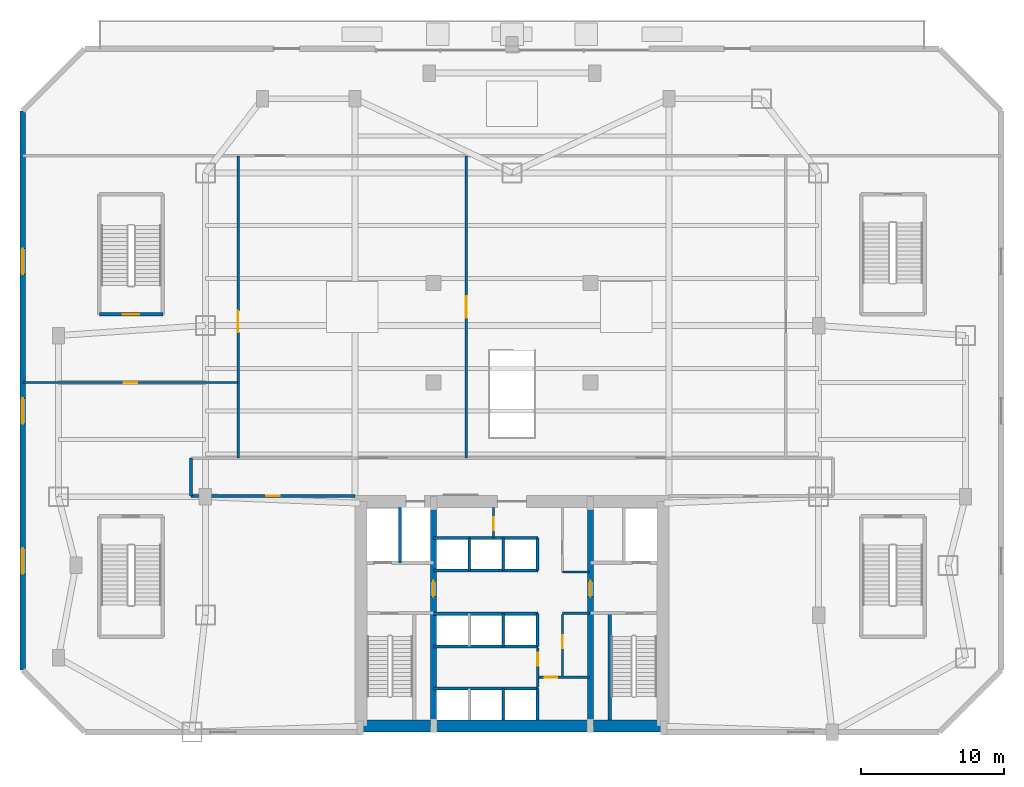
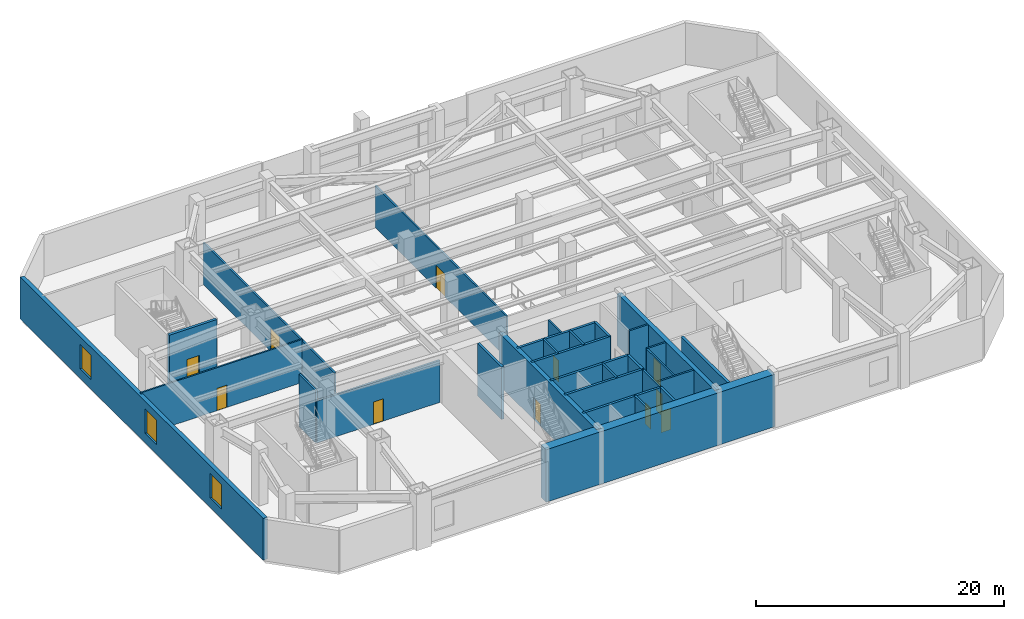
# One storey, part 4 of 10: 30 walls, 11 doors, 3 windows, 14 openings.
"""IFC4 building model written with IfcOpenShell, lengths in metres."""

from ifc_helpers import new_model, si_unit, direction, frame, frame_2d, origin, place, context, subcontext, project, spatial, rectangle, extrude, source, transform, mapped, material, layer, layer_set, type_object, type_shapes, element, fill, save


model = new_model("IFC4")

# Units and contexts
model_context = context("Model", 3, precision=1e-05, world=origin(), true_north=direction((0.0, 1.0)))
body_context = subcontext(model_context, "Body", "Model", "MODEL_VIEW")
ifc_project = project(units=[si_unit("LENGTHUNIT", "METRE"), si_unit("AREAUNIT", "SQUARE_METRE"), si_unit("VOLUMEUNIT", "CUBIC_METRE"), si_unit("PLANEANGLEUNIT", "RADIAN"), si_unit("MASSUNIT", "GRAM", prefix="KILO")], contexts=[model_context])

# Site, building, storey
site_placement = place(None, origin())
site = spatial("IfcSite", under=ifc_project, at=site_placement, CompositionType="ELEMENT")
building_placement = place(site_placement, origin())
building = spatial("IfcBuilding", under=site, at=building_placement, Name="Varnakhor Terracotta Tower", CompositionType="ELEMENT")
storey_placement = place(building_placement, frame((0.0, 0.0, 5.5)))
storey = spatial("IfcBuildingStorey", under=building, at=storey_placement, Name="L01", CompositionType="ELEMENT", Elevation=5.5)

# Wall
ifc_material_1 = material(Name="Concrete C60/75", Category="concrete")
ifc_layer_1 = layer(ifc_material_1, 0.85009765625, Name="Concrete C60/75")
ifc_layer_set_1 = layer_set([ifc_layer_1], Name="Concrete C60/75")
wall_type_1 = type_object("IfcWallType", Name="WAL-CORE-850", PredefinedType="SHEAR", material=ifc_layer_set_1)
wall_1_placement = place(storey_placement, frame((-10.64990234375, 0.425048828125, 0.0), z_axis=(0.0, 0.0, 1.0), x_axis=(1.0, 0.0, 0.0)))
element("IfcWall", 1, at=wall_1_placement, inside=storey, type_object=wall_type_1, Name="L01 South Core Shear Wall", PredefinedType="SHEAR", context=body_context, shape_type="SweptSolid", body=[
    extrude(rectangle(XDim=21.2998046875, YDim=0.85009765625, at=frame_2d((10.64990234375, 0.0))), origin(), (0.0, 0.0, 1.0), 5.169921875),
])

# Wall, opening, door
ifc_material_2 = material(Name="Concrete C50/60", Category="concrete")
ifc_layer_2 = layer(ifc_material_2, 0.39990234375, Name="Concrete C50/60")
ifc_layer_set_2 = layer_set([ifc_layer_2], Name="Concrete C50/60")
wall_type_2 = type_object("IfcWallType", Name="WAL-CORE-WEB-400", PredefinedType="SHEAR", material=ifc_layer_set_2)
wall_2_placement = place(storey_placement, frame((-5.5, 0.425048828125, 0.0), z_axis=(0.0, 0.0, 1.0), x_axis=(0.0, 1.0, 0.0)))
wall_2 = element("IfcWall", 2, at=wall_2_placement, inside=storey, type_object=wall_type_2, Name="L01 West Core Web Shear Wall", PredefinedType="SHEAR", context=body_context, shape_type="SweptSolid", body=[
    extrude(rectangle(XDim=15.75, YDim=0.39990234375, at=frame_2d((7.875, 0.0))), origin(), (0.0, 0.0, 1.0), 5.169921875),
])
opening_1_placement = place(wall_2_placement, frame((9.074951171875, 0.0, 0.0)))
opening_1 = element("IfcOpeningElement", 3, at=opening_1_placement, cuts=wall_2, Name="Opening DR-25", PredefinedType="OPENING", context=body_context, shape_type="SweptSolid", body=[
    extrude(rectangle(XDim=1.10009765625, YDim=2.199951171875, at=frame_2d((0.550048828125, 1.10009765625))), frame((0.0, 0.2099609375, 0.0), z_axis=(0.0, -1.0, 0.0), x_axis=(1.0, 0.0, 0.0)), (0.0, 0.0, 1.0), 0.419921875),
])
ifc_material_3 = material(Name="Firefighting Lobby Self-Closing Fire Door", Category="steel")
door_type_1 = type_object("IfcDoorType", Name="DR-FFL-1100X2200", OperationType="NOTDEFINED", PredefinedType="DOOR", material=ifc_material_3)
shared_shape_1 = source(origin(), body_context, "Body", "SweptSolid", [
    extrude(rectangle(XDim=1.10009765625, YDim=2.199951171875, at=frame_2d((0.550048828125, 1.10009765625))), frame((0.0, 0.02490234375, 0.0), z_axis=(0.0, -1.0, 0.0), x_axis=(1.0, 0.0, 0.0)), (0.0, 0.0, 1.0), 0.050048828125),
])
type_shapes(door_type_1, [shared_shape_1])
door_1_placement = place(opening_1_placement, origin())
door_1 = element("IfcDoor", 4, at=door_1_placement, inside=storey, type_object=door_type_1, Name="L01 West Firefighting Lobby Door", OperationType="SINGLE_SWING_LEFT", OverallHeight=2.199951171875, OverallWidth=1.10009765625, PredefinedType="DOOR", context=body_context, shape_type="MappedRepresentation", body=[
    mapped(shared_shape_1, transform((0.0, 0.0, 0.0), scale=1.0)),
])
fill(opening_1, door_1)

wall_3_placement = place(storey_placement, frame((5.5, 0.425048828125, 0.0), z_axis=(0.0, 0.0, 1.0), x_axis=(0.0, 1.0, 0.0)))
wall_3 = element("IfcWall", 5, at=wall_3_placement, inside=storey, type_object=wall_type_2, Name="L01 East Core Web Shear Wall", PredefinedType="SHEAR", context=body_context, shape_type="SweptSolid", body=[
    extrude(rectangle(XDim=15.75, YDim=0.39990234375, at=frame_2d((7.875, 0.0))), origin(), (0.0, 0.0, 1.0), 5.169921875),
])
opening_2_placement = place(wall_3_placement, frame((9.074951171875, 0.0, 0.0)))
opening_2 = element("IfcOpeningElement", 6, at=opening_2_placement, cuts=wall_3, Name="Opening DR-25", PredefinedType="OPENING", context=body_context, shape_type="SweptSolid", body=[
    extrude(rectangle(XDim=1.10009765625, YDim=2.199951171875, at=frame_2d((0.550048828125, 1.10009765625))), frame((0.0, 0.2099609375, 0.0), z_axis=(0.0, -1.0, 0.0), x_axis=(1.0, 0.0, 0.0)), (0.0, 0.0, 1.0), 0.419921875),
])
door_2_placement = place(opening_2_placement, origin())
door_2 = element("IfcDoor", 7, at=door_2_placement, inside=storey, type_object=door_type_1, Name="L01 East Firefighting Lobby Door", OperationType="SINGLE_SWING_LEFT", OverallHeight=2.199951171875, OverallWidth=1.10009765625, PredefinedType="DOOR", context=body_context, shape_type="MappedRepresentation", body=[
    mapped(shared_shape_1, transform((0.0, 0.0, 0.0), scale=1.0)),
])
fill(opening_2, door_2)

# Wall
ifc_material_4 = material(Name="Fire-Rated Gypsum Stud Partition", Category="gypsum")
ifc_layer_3 = layer(ifc_material_4, 0.18505859375, Name="Fire-Rated Gypsum Stud Partition")
ifc_layer_set_3 = layer_set([ifc_layer_3], Name="Fire-Rated Gypsum Stud Partition")
wall_type_3 = type_object("IfcWallType", Name="WAL-CORR-185", PredefinedType="PARTITIONING", material=ifc_layer_set_3)
wall_4_placement = place(storey_placement, frame((-22.5, 16.550048828125, 0.0), z_axis=(0.0, 0.0, 1.0), x_axis=(0.0, 1.0, 0.0)))
element("IfcWall", 8, at=wall_4_placement, inside=storey, type_object=wall_type_3, Name="L01 South Corridor West End Wall", PredefinedType="PARTITIONING", context=body_context, shape_type="SweptSolid", body=[
    extrude(rectangle(XDim=2.64990234375, YDim=0.18505859375, at=frame_2d((1.324951171875, 0.0))), origin(), (0.0, 0.0, 1.0), 5.162109375),
])

# Wall, opening, door
wall_5_placement = place(storey_placement, frame((-22.5, 16.550048828125, 0.0), z_axis=(0.0, 0.0, 1.0), x_axis=(1.0, 0.0, 0.0)))
wall_5 = element("IfcWall", 9, at=wall_5_placement, inside=storey, type_object=wall_type_3, Name="L01 South West Suite Wall", PredefinedType="PARTITIONING", context=body_context, shape_type="SweptSolid", body=[
    extrude(rectangle(XDim=11.47998046875, YDim=0.18505859375, at=frame_2d((5.739990234375, 0.0))), origin(), (0.0, 0.0, 1.0), 4.1220703125),
])
opening_3_placement = place(wall_5_placement, frame((5.264892578125, 0.0, 0.0)))
opening_3 = element("IfcOpeningElement", 10, at=opening_3_placement, cuts=wall_5, Name="Opening DR-94", PredefinedType="OPENING", context=body_context, shape_type="SweptSolid", body=[
    extrude(rectangle(XDim=0.949951171875, YDim=2.199951171875, at=frame_2d((0.47509765625, 1.10009765625))), frame((0.0, 0.1025390625, 0.0), z_axis=(0.0, -1.0, 0.0), x_axis=(1.0, 0.0, 0.0)), (0.0, 0.0, 1.0), 0.205078125),
])
ifc_material_5 = material(Name="Acoustic Glazed-Vision Timber Office Door", Category="wood")
door_type_2 = type_object("IfcDoorType", Name="DR-OFF-950X2200", OperationType="NOTDEFINED", PredefinedType="DOOR", material=ifc_material_5)
shared_shape_2 = source(origin(), body_context, "Body", "SweptSolid", [
    extrude(rectangle(XDim=0.949951171875, YDim=2.199951171875, at=frame_2d((0.47509765625, 1.10009765625))), frame((0.0, 0.02490234375, 0.0), z_axis=(0.0, -1.0, 0.0), x_axis=(1.0, 0.0, 0.0)), (0.0, 0.0, 1.0), 0.050048828125),
])
type_shapes(door_type_2, [shared_shape_2])
door_3_placement = place(opening_3_placement, origin())
door_3 = element("IfcDoor", 11, at=door_3_placement, inside=storey, type_object=door_type_2, Name="L01 SW Suite Door", OperationType="SINGLE_SWING_LEFT", OverallHeight=2.199951171875, OverallWidth=0.949951171875, PredefinedType="DOOR", context=body_context, shape_type="MappedRepresentation", body=[
    mapped(shared_shape_2, transform((0.0, 0.0, 0.0), scale=1.0)),
])
fill(opening_3, door_3)

# Wall, openings, windows
ifc_material_6 = material(Name="Honed Riyadh Limestone Assembly", Category="masonry")
ifc_layer_4 = layer(ifc_material_6, 0.3798828125, Name="Honed Riyadh Limestone Assembly")
ifc_layer_set_4 = layer_set([ifc_layer_4], Name="Honed Riyadh Limestone Assembly")
wall_type_4 = type_object("IfcWallType", Name="WAL-EXT-LIMESTONE-380", PredefinedType="SOLIDWALL", material=ifc_layer_set_4)
wall_6_placement = place(storey_placement, frame((-34.300048828125, 4.35009765625, 0.0), z_axis=(0.0, 0.0, 1.0), x_axis=(0.0, 1.0, 0.0)))
wall_6 = element("IfcWall", 12, at=wall_6_placement, inside=storey, type_object=wall_type_4, Name="L01 Podium Side Limestone Wall 1", PredefinedType="SOLIDWALL", context=body_context, shape_type="SweptSolid", body=[
    extrude(rectangle(XDim=39.199951171875, YDim=0.3798828125, at=frame_2d((19.60009765625, 0.0))), origin(), (0.0, 0.0, 1.0), 4.110107421875),
])
opening_4_placement = place(wall_6_placement, frame((6.75, 0.0, 0.949951171875)))
opening_4 = element("IfcOpeningElement", 13, at=opening_4_placement, cuts=wall_6, Name="Opening WN-16", PredefinedType="OPENING", context=body_context, shape_type="SweptSolid", body=[
    extrude(rectangle(XDim=1.800048828125, YDim=2.39990234375, at=frame_2d((0.89990234375, 1.199951171875))), frame((0.0, 0.199951171875, 0.0), z_axis=(0.0, -1.0, 0.0), x_axis=(1.0, 0.0, 0.0)), (0.0, 0.0, 1.0), 0.39990234375),
])
opening_5_placement = place(wall_6_placement, frame((17.25, 0.0, 0.949951171875)))
opening_5 = element("IfcOpeningElement", 14, at=opening_5_placement, cuts=wall_6, Name="Opening WN-16", PredefinedType="OPENING", context=body_context, shape_type="SweptSolid", body=[
    extrude(rectangle(XDim=1.800048828125, YDim=2.39990234375, at=frame_2d((0.89990234375, 1.199951171875))), frame((0.0, 0.199951171875, 0.0), z_axis=(0.0, -1.0, 0.0), x_axis=(1.0, 0.0, 0.0)), (0.0, 0.0, 1.0), 0.39990234375),
])
opening_6_placement = place(wall_6_placement, frame((27.75, 0.0, 0.949951171875)))
opening_6 = element("IfcOpeningElement", 15, at=opening_6_placement, cuts=wall_6, Name="Opening WN-16", PredefinedType="OPENING", context=body_context, shape_type="SweptSolid", body=[
    extrude(rectangle(XDim=1.800048828125, YDim=2.39990234375, at=frame_2d((0.89990234375, 1.199951171875))), frame((0.0, 0.199951171875, 0.0), z_axis=(0.0, -1.0, 0.0), x_axis=(1.0, 0.0, 0.0)), (0.0, 0.0, 1.0), 0.39990234375),
])
ifc_material_7 = material(Name="Solar-Control Low-E Insulated Glass Unit", Category="glass")
window_type = type_object("IfcWindowType", Name="WIN-POD-2400X3200", PartitioningType="SINGLE_PANEL", PredefinedType="WINDOW", material=ifc_material_7)
shared_shape_3 = source(origin(), body_context, "Body", "SweptSolid", [
    extrude(rectangle(XDim=1.800048828125, YDim=2.39990234375, at=frame_2d((0.89990234375, 1.199951171875))), frame((0.0, 0.030029296875, 0.0), z_axis=(0.0, -1.0, 0.0), x_axis=(1.0, 0.0, 0.0)), (0.0, 0.0, 1.0), 0.06005859375),
])
type_shapes(window_type, [shared_shape_3])
window_1_placement = place(opening_4_placement, origin())
window_1 = element("IfcWindow", 16, at=window_1_placement, inside=storey, type_object=window_type, Name="L01 Side Punched Window 1-1", OverallHeight=2.39990234375, OverallWidth=1.800048828125, PartitioningType="SINGLE_PANEL", PredefinedType="WINDOW", context=body_context, shape_type="MappedRepresentation", body=[
    mapped(shared_shape_3, transform((0.0, 0.0, 0.0), scale=1.0)),
])
fill(opening_4, window_1)
window_2_placement = place(opening_5_placement, origin())
window_2 = element("IfcWindow", 17, at=window_2_placement, inside=storey, type_object=window_type, Name="L01 Side Punched Window 1-2", OverallHeight=2.39990234375, OverallWidth=1.800048828125, PartitioningType="SINGLE_PANEL", PredefinedType="WINDOW", context=body_context, shape_type="MappedRepresentation", body=[
    mapped(shared_shape_3, transform((0.0, 0.0, 0.0), scale=1.0)),
])
fill(opening_5, window_2)
window_3_placement = place(opening_6_placement, origin())
window_3 = element("IfcWindow", 18, at=window_3_placement, inside=storey, type_object=window_type, Name="L01 Side Punched Window 1-3", OverallHeight=2.39990234375, OverallWidth=1.800048828125, PartitioningType="SINGLE_PANEL", PredefinedType="WINDOW", context=body_context, shape_type="MappedRepresentation", body=[
    mapped(shared_shape_3, transform((0.0, 0.0, 0.0), scale=1.0)),
])
fill(opening_6, window_3)

# Wall, opening, door
ifc_material_8 = material(Name="Acoustic Operable Panel Partition", Category="metal")
ifc_layer_5 = layer(ifc_material_8, 0.155029296875, Name="Acoustic Operable Panel Partition")
ifc_layer_set_5 = layer_set([ifc_layer_5], Name="Acoustic Operable Panel Partition")
wall_type_5 = type_object("IfcWallType", Name="WAL-OPERABLE-155", PredefinedType="MOVABLE", material=ifc_layer_set_5)
wall_7_placement = place(storey_placement, frame((-3.199951171875, 19.199951171875, 0.0), z_axis=(0.0, 0.0, 1.0), x_axis=(0.0, 1.0, 0.0)))
wall_7 = element("IfcWall", 19, at=wall_7_placement, inside=storey, type_object=wall_type_5, Name="L01 Operable Hall Partition", PredefinedType="MOVABLE", context=body_context, shape_type="SweptSolid", body=[
    extrude(rectangle(XDim=21.199951171875, YDim=0.155029296875, at=frame_2d((10.60009765625, 0.0))), origin(), (0.0, 0.0, 1.0), 4.1220703125),
])
opening_7_placement = place(wall_7_placement, frame((9.85009765625, 0.0, 0.0)))
opening_7 = element("IfcOpeningElement", 20, at=opening_7_placement, cuts=wall_7, Name="Opening DR-30", PredefinedType="OPENING", context=body_context, shape_type="SweptSolid", body=[
    extrude(rectangle(XDim=1.5, YDim=2.25, at=frame_2d((0.75, 1.125))), frame((0.0, 0.08740234375, 0.0), z_axis=(0.0, -1.0, 0.0), x_axis=(1.0, 0.0, 0.0)), (0.0, 0.0, 1.0), 0.175048828125),
])
ifc_material_9 = material(Name="Double Acoustic Conference Room Door", Category="wood")
door_type_3 = type_object("IfcDoorType", Name="DR-MEET-1500X2250", OperationType="NOTDEFINED", PredefinedType="DOOR", material=ifc_material_9)
shared_shape_4 = source(origin(), body_context, "Body", "SweptSolid", [
    extrude(rectangle(XDim=1.5, YDim=2.25, at=frame_2d((0.75, 1.125))), frame((0.0, 0.02490234375, 0.0), z_axis=(0.0, -1.0, 0.0), x_axis=(1.0, 0.0, 0.0)), (0.0, 0.0, 1.0), 0.050048828125),
])
type_shapes(door_type_3, [shared_shape_4])
door_4_placement = place(opening_7_placement, origin())
door_4 = element("IfcDoor", 21, at=door_4_placement, inside=storey, type_object=door_type_3, Name="L01 Operable Hall Door", OperationType="DOUBLE_DOOR_SINGLE_SWING", OverallHeight=2.25, OverallWidth=1.5, PredefinedType="DOOR", context=body_context, shape_type="MappedRepresentation", body=[
    mapped(shared_shape_4, transform((0.0, 0.0, 0.0), scale=1.0)),
])
fill(opening_7, door_4)

ifc_material_10 = material(Name="Acoustic Metal-Stud Partition", Category="gypsum")
ifc_layer_6 = layer(ifc_material_10, 0.139892578125, Name="Acoustic Metal-Stud Partition")
ifc_layer_set_6 = layer_set([ifc_layer_6], Name="Acoustic Metal-Stud Partition")
wall_type_6 = type_object("IfcWallType", Name="WAL-PART-140", PredefinedType="PARTITIONING", material=ifc_layer_set_6)
wall_8_placement = place(storey_placement, frame((-34.2900390625, 24.5, 0.0), z_axis=(0.0, 0.0, 1.0), x_axis=(1.0, 0.0, 0.0)))
wall_8 = element("IfcWall", 22, at=wall_8_placement, inside=storey, type_object=wall_type_6, Name="L01 West Breakout Split", PredefinedType="PARTITIONING", context=body_context, shape_type="SweptSolid", body=[
    extrude(rectangle(XDim=15.090087890625, YDim=0.139892578125, at=frame_2d((7.544921875, 0.0))), origin(), (0.0, 0.0, 1.0), 4.235107421875),
])
opening_8_placement = place(wall_8_placement, frame((7.070068359375, 0.0, 0.0)))
opening_8 = element("IfcOpeningElement", 23, at=opening_8_placement, cuts=wall_8, Name="Opening DR-94", PredefinedType="OPENING", context=body_context, shape_type="SweptSolid", body=[
    extrude(rectangle(XDim=0.949951171875, YDim=2.199951171875, at=frame_2d((0.47509765625, 1.10009765625))), frame((0.0, 0.080078125, 0.0), z_axis=(0.0, -1.0, 0.0), x_axis=(1.0, 0.0, 0.0)), (0.0, 0.0, 1.0), 0.159912109375),
])
door_5_placement = place(opening_8_placement, origin())
door_5 = element("IfcDoor", 24, at=door_5_placement, inside=storey, type_object=door_type_2, Name="Seminar Room Door", OperationType="SINGLE_SWING_LEFT", OverallHeight=2.199951171875, OverallWidth=0.949951171875, PredefinedType="DOOR", context=body_context, shape_type="MappedRepresentation", body=[
    mapped(shared_shape_2, transform((0.0, 0.0, 0.0), scale=1.0)),
])
fill(opening_8, door_5)

# Walls
ifc_material_11 = material(Name="Concrete C40/50", Category="concrete")
ifc_layer_7 = layer(ifc_material_11, 0.179931640625, Name="Concrete C40/50")
ifc_layer_set_7 = layer_set([ifc_layer_7], Name="Concrete C40/50")
wall_type_7 = type_object("IfcWallType", Name="WAL-SHAFT-180", PredefinedType="SOLIDWALL", material=ifc_layer_set_7)
wall_9_placement = place(storey_placement, frame((-0.60009765625, 0.85009765625, 0.0), z_axis=(0.0, 0.0, 1.0), x_axis=(0.0, 1.0, 0.0)))
element("IfcWall", 25, at=wall_9_placement, inside=storey, type_object=wall_type_7, Name="L01 PL-1B Divider", PredefinedType="SOLIDWALL", context=body_context, shape_type="SweptSolid", body=[
    extrude(rectangle(XDim=2.199951171875, YDim=0.179931640625, at=frame_2d((1.10009765625, 0.0))), origin(), (0.0, 0.0, 1.0), 5.169921875),
])
for number, where, z_axis, x_axis, name in (
    (26, (-0.60009765625, 6.0, 0.0), (0.0, 0.0, 1.0), (0.0, 1.0, 0.0), "L01 PL-2B Divider"),
    (27, (-3.0, 11.320068359375, 0.0), (0.0, 0.0, 1.0), (0.0, 1.0, 0.0), "L01 PL-3A Divider"),
    (28, (-0.60009765625, 11.320068359375, 0.0), (0.0, 0.0, 1.0), (0.0, 1.0, 0.0), "L01 PL-3B Divider"),
):
    element("IfcWall", number, at=place(storey_placement, frame(where, z_axis=z_axis, x_axis=x_axis)), inside=storey, type_object=wall_type_7, Name=name, PredefinedType="SOLIDWALL", context=body_context, shape_type="SweptSolid", body=[
        extrude(rectangle(XDim=2.300048828125, YDim=0.179931640625, at=frame_2d((1.14990234375, 0.0))), origin(), (0.0, 0.0, 1.0), 5.169921875),
    ])
ifc_layer_8 = layer(ifc_material_11, 0.219970703125, Name="Concrete C40/50")
ifc_layer_set_8 = layer_set([ifc_layer_8], Name="Concrete C40/50")
wall_type_8 = type_object("IfcWallType", Name="WAL-SHAFT-220", PredefinedType="SOLIDWALL", material=ifc_layer_set_8)
wall_10_placement = place(storey_placement, frame((-7.840087890625, 11.8701171875, 0.0), z_axis=(0.0, 0.0, 1.0), x_axis=(0.0, 1.0, 0.0)))
element("IfcWall", 29, at=wall_10_placement, inside=storey, type_object=wall_type_8, Name="L01 Lift FFL-1 and SVL-1 Divider Wall", PredefinedType="SOLIDWALL", context=body_context, shape_type="SweptSolid", body=[
    extrude(rectangle(XDim=3.8798828125, YDim=0.219970703125, at=frame_2d((1.93994140625, 0.0))), origin(), (0.0, 0.0, 1.0), 5.169921875),
])
wall_11_placement = place(storey_placement, frame((-5.5, 3.050048828125, 0.0), z_axis=(0.0, 0.0, 1.0), x_axis=(1.0, 0.0, 0.0)))
element("IfcWall", 30, at=wall_11_placement, inside=storey, type_object=wall_type_8, Name="L01 Bank 1 Lift Shaft Wall", PredefinedType="SOLIDWALL", context=body_context, shape_type="SweptSolid", body=[
    extrude(rectangle(XDim=7.320068359375, YDim=0.219970703125, at=frame_2d((3.66015625, 0.0))), origin(), (0.0, 0.0, 1.0), 5.169921875),
])
wall_12_placement = place(storey_placement, frame((1.800048828125, 0.85009765625, 0.0), z_axis=(0.0, 0.0, 1.0), x_axis=(0.0, 1.0, 0.0)))
element("IfcWall", 31, at=wall_12_placement, inside=storey, type_object=wall_type_8, Name="L01 Bank 1 East Shaft Wall", PredefinedType="SOLIDWALL", context=body_context, shape_type="SweptSolid", body=[
    extrude(rectangle(XDim=2.199951171875, YDim=0.219970703125, at=frame_2d((1.10009765625, 0.0))), origin(), (0.0, 0.0, 1.0), 5.169921875),
])
for number, where, z_axis, x_axis, name in (
    (32, (-5.5, 6.0, 0.0), (0.0, 0.0, 1.0), (1.0, 0.0, 0.0), "L01 Bank 2 South Shaft Wall"),
    (33, (-5.5, 8.300048828125, 0.0), (0.0, 0.0, 1.0), (1.0, 0.0, 0.0), "L01 Bank 2 North Shaft Wall"),
):
    element("IfcWall", number, at=place(storey_placement, frame(where, z_axis=z_axis, x_axis=x_axis)), inside=storey, type_object=wall_type_8, Name=name, PredefinedType="SOLIDWALL", context=body_context, shape_type="SweptSolid", body=[
        extrude(rectangle(XDim=7.320068359375, YDim=0.219970703125, at=frame_2d((3.66015625, 0.0))), origin(), (0.0, 0.0, 1.0), 5.169921875),
    ])
wall_13_placement = place(storey_placement, frame((1.800048828125, 6.0, 0.0), z_axis=(0.0, 0.0, 1.0), x_axis=(0.0, 1.0, 0.0)))
element("IfcWall", 34, at=wall_13_placement, inside=storey, type_object=wall_type_8, Name="L01 Bank 2 East Shaft Wall", PredefinedType="SOLIDWALL", context=body_context, shape_type="SweptSolid", body=[
    extrude(rectangle(XDim=2.300048828125, YDim=0.219970703125, at=frame_2d((1.14990234375, 0.0))), origin(), (0.0, 0.0, 1.0), 5.169921875),
])
for number, where, z_axis, x_axis, name in (
    (35, (-5.5, 11.320068359375, 0.0), (0.0, 0.0, 1.0), (1.0, 0.0, 0.0), "L01 Bank 3 South Shaft Wall"),
    (36, (-5.5, 13.6201171875, 0.0), (0.0, 0.0, 1.0), (1.0, 0.0, 0.0), "L01 Bank 3 North Shaft Wall"),
):
    element("IfcWall", number, at=place(storey_placement, frame(where, z_axis=z_axis, x_axis=x_axis)), inside=storey, type_object=wall_type_8, Name=name, PredefinedType="SOLIDWALL", context=body_context, shape_type="SweptSolid", body=[
        extrude(rectangle(XDim=7.320068359375, YDim=0.219970703125, at=frame_2d((3.66015625, 0.0))), origin(), (0.0, 0.0, 1.0), 5.169921875),
    ])
wall_14_placement = place(storey_placement, frame((1.800048828125, 11.320068359375, 0.0), z_axis=(0.0, 0.0, 1.0), x_axis=(0.0, 1.0, 0.0)))
element("IfcWall", 37, at=wall_14_placement, inside=storey, type_object=wall_type_8, Name="L01 Bank 3 East Shaft Wall", PredefinedType="SOLIDWALL", context=body_context, shape_type="SweptSolid", body=[
    extrude(rectangle(XDim=2.300048828125, YDim=0.219970703125, at=frame_2d((1.14990234375, 0.0))), origin(), (0.0, 0.0, 1.0), 5.169921875),
])
ifc_layer_9 = layer(ifc_material_11, 0.25, Name="Concrete C40/50")
ifc_layer_set_9 = layer_set([ifc_layer_9], Name="Concrete C40/50")
wall_type_9 = type_object("IfcWallType", Name="WAL-SHAFT-250", PredefinedType="SOLIDWALL", material=ifc_layer_set_9)
wall_15_placement = place(storey_placement, frame((6.85009765625, 0.85009765625, 0.0), z_axis=(0.0, 0.0, 1.0), x_axis=(0.0, 1.0, 0.0)))
element("IfcWall", 38, at=wall_15_placement, inside=storey, type_object=wall_type_9, Name="L01 Stair ST-2 Bearing Shaft Wall", PredefinedType="SOLIDWALL", context=body_context, shape_type="SweptSolid", body=[
    extrude(rectangle(XDim=7.5, YDim=0.25, at=frame_2d((3.75, 0.0))), origin(), (0.0, 0.0, 1.0), 5.169921875),
])

# Wall, opening, door
wall_16_placement = place(storey_placement, frame((-28.919921875, 29.280029296875, 0.0), z_axis=(0.0, 0.0, 1.0), x_axis=(1.0, 0.0, 0.0)))
wall_16 = element("IfcWall", 39, at=wall_16_placement, inside=storey, type_object=wall_type_9, Name="L01 ST-P3 Bearing Shaft Wall S", PredefinedType="SOLIDWALL", context=body_context, shape_type="SweptSolid", body=[
    extrude(rectangle(XDim=4.43994140625, YDim=0.25, at=frame_2d((2.219970703125, 0.0))), origin(), (0.0, 0.0, 1.0), 5.169921875),
])
opening_9_placement = place(wall_16_placement, frame((1.64501953125, 0.0, 0.0)))
opening_9 = element("IfcOpeningElement", 40, at=opening_9_placement, cuts=wall_16, Name="Opening DR-34", PredefinedType="OPENING", context=body_context, shape_type="SweptSolid", body=[
    extrude(rectangle(XDim=1.14990234375, YDim=2.199951171875, at=frame_2d((0.574951171875, 1.10009765625))), frame((0.0, 0.135009765625, 0.0), z_axis=(0.0, -1.0, 0.0), x_axis=(1.0, 0.0, 0.0)), (0.0, 0.0, 1.0), 0.27001953125),
])
ifc_material_12 = material(Name="Self-Closing Smoke-Sealed Steel Fire Door", Category="steel")
door_type_4 = type_object("IfcDoorType", Name="DR-STAIR-1150X2200", OperationType="NOTDEFINED", PredefinedType="DOOR", material=ifc_material_12)
shared_shape_5 = source(origin(), body_context, "Body", "SweptSolid", [
    extrude(rectangle(XDim=1.14990234375, YDim=2.199951171875, at=frame_2d((0.574951171875, 1.10009765625))), frame((0.0, 0.02490234375, 0.0), z_axis=(0.0, -1.0, 0.0), x_axis=(1.0, 0.0, 0.0)), (0.0, 0.0, 1.0), 0.050048828125),
])
type_shapes(door_type_4, [shared_shape_5])
door_6_placement = place(opening_9_placement, origin())
door_6 = element("IfcDoor", 41, at=door_6_placement, inside=storey, type_object=door_type_4, Name="L01 Exit Stair ST-P3 Fire Door", OperationType="SINGLE_SWING_LEFT", OverallHeight=2.199951171875, OverallWidth=1.14990234375, PredefinedType="DOOR", context=body_context, shape_type="MappedRepresentation", body=[
    mapped(shared_shape_5, transform((0.0, 0.0, 0.0), scale=1.0)),
])
fill(opening_9, door_6)

ifc_material_13 = material(Name="Acoustic Fire-Rated Partition", Category="gypsum")
ifc_layer_10 = layer(ifc_material_13, 0.1650390625, Name="Acoustic Fire-Rated Partition")
ifc_layer_set_10 = layer_set([ifc_layer_10], Name="Acoustic Fire-Rated Partition")
wall_type_10 = type_object("IfcWallType", Name="WAL-TENANCY-165", PredefinedType="PARTITIONING", material=ifc_layer_set_10)
wall_17_placement = place(storey_placement, frame((1.800048828125, 3.159912109375, 0.0), z_axis=(0.0, 0.0, 1.0), x_axis=(0.0, 1.0, 0.0)))
wall_17 = element("IfcWall", 42, at=wall_17_placement, inside=storey, type_object=wall_type_10, Name="L01 Core Rated Service Wall", PredefinedType="PARTITIONING", context=body_context, shape_type="SweptSolid", body=[
    extrude(rectangle(XDim=2.719970703125, YDim=0.1650390625, at=frame_2d((1.35986328125, 0.0))), origin(), (0.0, 0.0, 1.0), 5.162109375),
])
opening_10_placement = place(wall_17_placement, frame((1.5, 0.0, 0.0)))
opening_10 = element("IfcOpeningElement", 43, at=opening_10_placement, cuts=wall_17, Name="Opening DR-67", PredefinedType="OPENING", context=body_context, shape_type="SweptSolid", body=[
    extrude(rectangle(XDim=0.89990234375, YDim=2.10009765625, at=frame_2d((0.449951171875, 1.050048828125))), frame((0.0, 0.092529296875, 0.0), z_axis=(0.0, -1.0, 0.0), x_axis=(1.0, 0.0, 0.0)), (0.0, 0.0, 1.0), 0.18505859375),
])
ifc_material_14 = material(Name="Steel Service Riser Fire Door", Category="steel")
door_type_5 = type_object("IfcDoorType", Name="DR-RISER-900X2100", OperationType="NOTDEFINED", PredefinedType="DOOR", material=ifc_material_14)
shared_shape_6 = source(origin(), body_context, "Body", "SweptSolid", [
    extrude(rectangle(XDim=0.89990234375, YDim=2.10009765625, at=frame_2d((0.449951171875, 1.050048828125))), frame((0.0, 0.02490234375, 0.0), z_axis=(0.0, -1.0, 0.0), x_axis=(1.0, 0.0, 0.0)), (0.0, 0.0, 1.0), 0.050048828125),
])
type_shapes(door_type_5, [shared_shape_6])
door_7_placement = place(opening_10_placement, origin())
door_7 = element("IfcDoor", 44, at=door_7_placement, inside=storey, type_object=door_type_5, Name="L01 Core Store Fire Door", OperationType="SINGLE_SWING_RIGHT", OverallHeight=2.10009765625, OverallWidth=0.89990234375, PredefinedType="DOOR", context=body_context, shape_type="MappedRepresentation", body=[
    mapped(shared_shape_6, transform((0.0, 0.0, 0.0), scale=1.0)),
])
fill(opening_10, door_7)

wall_18_placement = place(storey_placement, frame((3.5400390625, 3.9326171875, 0.0), z_axis=(0.0, 0.0, 1.0), x_axis=(0.0, 1.0, 0.0)))
wall_18 = element("IfcWall", 45, at=wall_18_placement, inside=storey, type_object=wall_type_10, Name="L01 Core Service Rated Wall", PredefinedType="PARTITIONING", context=body_context, shape_type="SweptSolid", body=[
    extrude(rectangle(XDim=4.324951171875, YDim=0.1650390625, at=frame_2d((2.16259765625, 0.0))), origin(), (0.0, 0.0, 1.0), 5.162109375),
])
opening_11_placement = place(wall_18_placement, frame((1.9462890625, 0.0, 0.0)))
opening_11 = element("IfcOpeningElement", 46, at=opening_11_placement, cuts=wall_18, Name="Opening DR-67", PredefinedType="OPENING", context=body_context, shape_type="SweptSolid", body=[
    extrude(rectangle(XDim=0.89990234375, YDim=2.10009765625, at=frame_2d((0.449951171875, 1.050048828125))), frame((0.0, 0.092529296875, 0.0), z_axis=(0.0, -1.0, 0.0), x_axis=(1.0, 0.0, 0.0)), (0.0, 0.0, 1.0), 0.18505859375),
])
door_8_placement = place(opening_11_placement, origin())
door_8 = element("IfcDoor", 47, at=door_8_placement, inside=storey, type_object=door_type_5, Name="L01 Core Accessible WC Door", OperationType="SINGLE_SWING_RIGHT", OverallHeight=2.10009765625, OverallWidth=0.89990234375, PredefinedType="DOOR", context=body_context, shape_type="MappedRepresentation", body=[
    mapped(shared_shape_6, transform((0.0, 0.0, 0.0), scale=1.0)),
])
fill(opening_11, door_8)

# Wall
wall_19_placement = place(storey_placement, frame((3.5400390625, 8.340087890625, 0.0), z_axis=(0.0, 0.0, 1.0), x_axis=(1.0, 0.0, 0.0)))
element("IfcWall", 48, at=wall_19_placement, inside=storey, type_object=wall_type_10, Name="L01 Accessible WC North Wall", PredefinedType="PARTITIONING", context=body_context, shape_type="SweptSolid", body=[
    extrude(rectangle(XDim=1.8798828125, YDim=0.1650390625, at=frame_2d((0.93994140625, 0.0))), origin(), (0.0, 0.0, 1.0), 5.162109375),
])

# Wall, opening, door
wall_20_placement = place(storey_placement, frame((1.800048828125, 3.85009765625, 0.0), z_axis=(0.0, 0.0, 1.0), x_axis=(1.0, 0.0, 0.0)))
wall_20 = element("IfcWall", 49, at=wall_20_placement, inside=storey, type_object=wall_type_10, Name="L01 Core South Service Rated Wall", PredefinedType="PARTITIONING", context=body_context, shape_type="SweptSolid", body=[
    extrude(rectangle(XDim=3.619873046875, YDim=0.1650390625, at=frame_2d((1.81005859375, 0.0))), origin(), (0.0, 0.0, 1.0), 5.162109375),
])
opening_12_placement = place(wall_20_placement, frame((0.47998046875, 0.0, 0.0)))
opening_12 = element("IfcOpeningElement", 50, at=opening_12_placement, cuts=wall_20, Name="Opening DR-67", PredefinedType="OPENING", context=body_context, shape_type="SweptSolid", body=[
    extrude(rectangle(XDim=0.89990234375, YDim=2.10009765625, at=frame_2d((0.449951171875, 1.050048828125))), frame((0.0, 0.092529296875, 0.0), z_axis=(0.0, -1.0, 0.0), x_axis=(1.0, 0.0, 0.0)), (0.0, 0.0, 1.0), 0.18505859375),
])
door_9_placement = place(opening_12_placement, origin())
door_9 = element("IfcDoor", 51, at=door_9_placement, inside=storey, type_object=door_type_5, Name="L01 Core IT Room Door", OperationType="SINGLE_SWING_LEFT", OverallHeight=2.10009765625, OverallWidth=0.89990234375, PredefinedType="DOOR", context=body_context, shape_type="MappedRepresentation", body=[
    mapped(shared_shape_6, transform((0.0, 0.0, 0.0), scale=1.0)),
])
fill(opening_12, door_9)

wall_21_placement = place(storey_placement, frame((-1.300048828125, 13.60009765625, 0.0), z_axis=(0.0, 0.0, 1.0), x_axis=(0.0, 1.0, 0.0)))
wall_21 = element("IfcWall", 52, at=wall_21_placement, inside=storey, type_object=wall_type_10, Name="L01 Male Restroom Wall", PredefinedType="PARTITIONING", context=body_context, shape_type="SweptSolid", body=[
    extrude(rectangle(XDim=2.14990234375, YDim=0.1650390625, at=frame_2d((1.074951171875, 0.0))), origin(), (0.0, 0.0, 1.0), 5.162109375),
])
opening_13_placement = place(wall_21_placement, frame((0.550048828125, 0.0, 0.0)))
opening_13 = element("IfcOpeningElement", 53, at=opening_13_placement, cuts=wall_21, Name="Opening DR-67", PredefinedType="OPENING", context=body_context, shape_type="SweptSolid", body=[
    extrude(rectangle(XDim=0.89990234375, YDim=2.10009765625, at=frame_2d((0.449951171875, 1.050048828125))), frame((0.0, 0.092529296875, 0.0), z_axis=(0.0, -1.0, 0.0), x_axis=(1.0, 0.0, 0.0)), (0.0, 0.0, 1.0), 0.18505859375),
])
door_10_placement = place(opening_13_placement, origin())
door_10 = element("IfcDoor", 54, at=door_10_placement, inside=storey, type_object=door_type_5, Name="L01 Male WC Door", OperationType="SINGLE_SWING_LEFT", OverallHeight=2.10009765625, OverallWidth=0.89990234375, PredefinedType="DOOR", context=body_context, shape_type="MappedRepresentation", body=[
    mapped(shared_shape_6, transform((0.0, 0.0, 0.0), scale=1.0)),
])
fill(opening_13, door_10)

# Wall
wall_22_placement = place(storey_placement, frame((3.5400390625, 11.219970703125, 0.0), z_axis=(0.0, 0.0, 1.0), x_axis=(1.0, 0.0, 0.0)))
element("IfcWall", 55, at=wall_22_placement, inside=storey, type_object=wall_type_10, Name="L01 Restroom South Wall", PredefinedType="PARTITIONING", context=body_context, shape_type="SweptSolid", body=[
    extrude(rectangle(XDim=1.8798828125, YDim=0.1650390625, at=frame_2d((0.93994140625, 0.0))), origin(), (0.0, 0.0, 1.0), 5.162109375),
])

# Wall, opening, door
wall_23_placement = place(storey_placement, frame((-19.199951171875, 19.199951171875, 0.0), z_axis=(0.0, 0.0, 1.0), x_axis=(0.0, 1.0, 0.0)))
wall_23 = element("IfcWall", 56, at=wall_23_placement, inside=storey, type_object=wall_type_10, Name="L01 Hall West Acoustic Wall", PredefinedType="PARTITIONING", context=body_context, shape_type="SweptSolid", body=[
    extrude(rectangle(XDim=21.199951171875, YDim=0.1650390625, at=frame_2d((10.60009765625, 0.0))), origin(), (0.0, 0.0, 1.0), 4.1220703125),
])
opening_14_placement = place(wall_23_placement, frame((8.823974609375, 0.0, 0.0)))
opening_14 = element("IfcOpeningElement", 57, at=opening_14_placement, cuts=wall_23, Name="Opening DR-30", PredefinedType="OPENING", context=body_context, shape_type="SweptSolid", body=[
    extrude(rectangle(XDim=1.5, YDim=2.25, at=frame_2d((0.75, 1.125))), frame((0.0, 0.092529296875, 0.0), z_axis=(0.0, -1.0, 0.0), x_axis=(1.0, 0.0, 0.0)), (0.0, 0.0, 1.0), 0.18505859375),
])
door_11_placement = place(opening_14_placement, origin())
door_11 = element("IfcDoor", 58, at=door_11_placement, inside=storey, type_object=door_type_3, Name="L01 West Suite Door", OperationType="DOUBLE_DOOR_SINGLE_SWING", OverallHeight=2.25, OverallWidth=1.5, PredefinedType="DOOR", context=body_context, shape_type="MappedRepresentation", body=[
    mapped(shared_shape_4, transform((0.0, 0.0, 0.0), scale=1.0)),
])
fill(opening_14, door_11)

save(model, "model.ifc")
